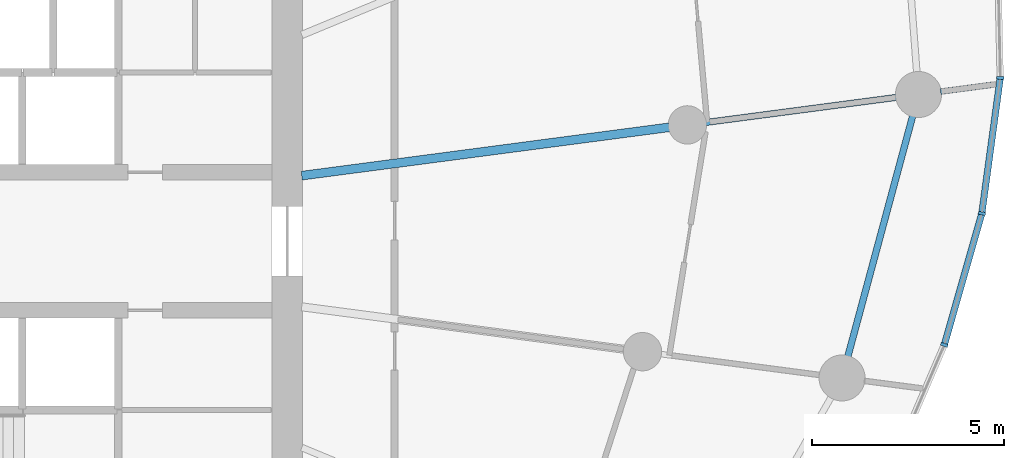
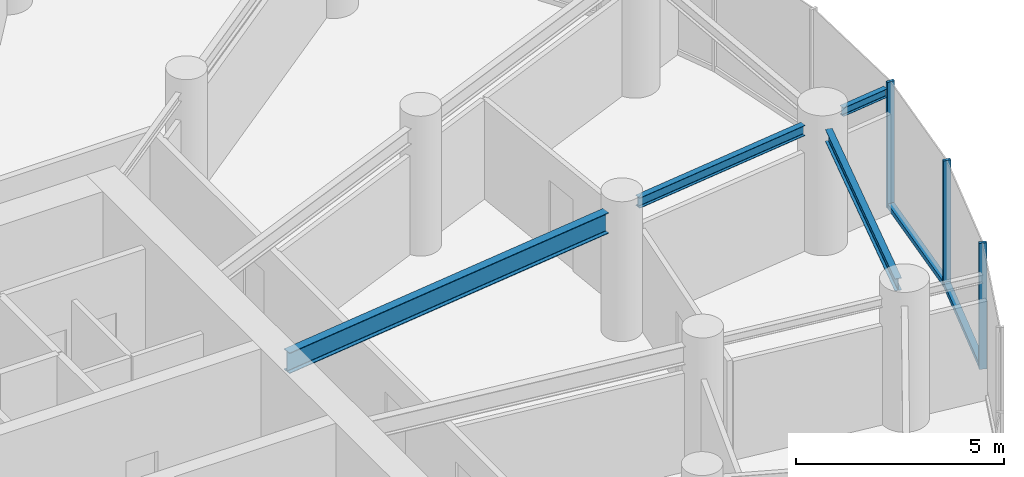
# One storey, part 5 of 17: 5 members, 4 beams, 2 elements without a shape of their own.
"""IFC4 building model written with IfcOpenShell, lengths in metres."""

from ifc_helpers import new_model, si_unit, direction, frame, origin, origin_2d, place, context, subcontext, project, spatial, rectangle, i_section, extrude, source, transform, mapped, material, layer, layer_set, material_profile, profile_set, type_object, element, aggregate, save


model = new_model("IFC4")

# Units and contexts
model_context = context("Model", 3, precision=1e-05, world=origin(), true_north=direction((0.0, 1.0)))
body_context = subcontext(model_context, "Body", "Model", "MODEL_VIEW")
ifc_project = project(units=[si_unit("LENGTHUNIT", "METRE"), si_unit("AREAUNIT", "SQUARE_METRE"), si_unit("VOLUMEUNIT", "CUBIC_METRE"), si_unit("PLANEANGLEUNIT", "RADIAN"), si_unit("MASSUNIT", "GRAM", prefix="KILO")], contexts=[model_context])

# Site, building, storey
site_placement = place(None, origin())
site = spatial("IfcSite", under=ifc_project, at=site_placement, CompositionType="ELEMENT")
building_placement = place(site_placement, origin())
building = spatial("IfcBuilding", under=site, at=building_placement, Name="Spindrift Exchange Tower", CompositionType="ELEMENT")
storey_placement = place(building_placement, frame((0.0, 0.0, 104.39990234375)))
storey = spatial("IfcBuildingStorey", under=building, at=storey_placement, Name="L24", CompositionType="ELEMENT", Elevation=104.39990234375)

# Beams
ifc_material_1 = material(Name="Steel Grade 300", Category="steel")
ifc_material_profile_1 = material_profile(ifc_material_1, i_section(OverallWidth=0.22802734375, OverallDepth=0.60693359375, WebThickness=0.01123046875, FlangeThickness=0.017333984375, FilletRadius=0.013916015625, at=origin_2d()), Name="610UB113")
ifc_profile_set_1 = profile_set([ifc_material_profile_1], Name="Steel Grade 300")
beam_type_1 = type_object("IfcBeamType", Name="Floor Beam 610UB113 Steel Grade 300", PredefinedType="BEAM", material=ifc_profile_set_1)
shared_shape_1 = source(origin(), body_context, "Body", "SweptSolid", [
    extrude(i_section(OverallWidth=0.22802734375, OverallDepth=0.60693359375, WebThickness=0.01123046875, FlangeThickness=0.017333984375, FilletRadius=0.013916015625, at=origin_2d()), origin(), (0.0, 0.0, 1.0), 9.660400390625),
])
beam_1_placement = place(storey_placement, frame((64.980224609375, 49.708984375, 3.396484375), z_axis=(0.99144767089, 0.130504850054, 0.0), x_axis=(-0.130504850054, 0.99144767089, 0.0)))
element("IfcBeam", 1, at=beam_1_placement, inside=storey, type_object=beam_type_1, Name="L24 radial beam R01A", PredefinedType="BEAM", context=body_context, shape_type="MappedRepresentation", body=[
    mapped(shared_shape_1, transform((0.0, 0.0, 0.0), scale=1.0)),
])
ifc_material_profile_2 = material_profile(ifc_material_1, i_section(OverallWidth=0.1650390625, OverallDepth=0.303955078125, WebThickness=0.006103515625, FlangeThickness=0.01025390625, FilletRadius=0.011474609375, at=origin_2d()), Name="310UB40.4")
ifc_profile_set_2 = profile_set([ifc_material_profile_2], Name="Steel Grade 300")
beam_type_2 = type_object("IfcBeamType", Name="Floor Beam 310UB40.4 Steel Grade 300", PredefinedType="BEAM", material=ifc_profile_set_2)
shared_shape_2 = source(origin(), body_context, "Body", "SweptSolid", [
    extrude(i_section(OverallWidth=0.1650390625, OverallDepth=0.303955078125, WebThickness=0.006103515625, FlangeThickness=0.01025390625, FilletRadius=0.011474609375, at=origin_2d()), origin(), (0.0, 0.0, 1.0), 5.014404296875),
])
beam_2_placement = place(storey_placement, frame((75.509765625, 51.09521484375, 3.548095703125), z_axis=(0.99145015202, 0.13048599948, 0.0), x_axis=(-0.13048599948, 0.99145015202, 0.0)))
element("IfcBeam", 2, at=beam_2_placement, inside=storey, type_object=beam_type_2, Name="L24 radial beam R01B", PredefinedType="BEAM", context=body_context, shape_type="MappedRepresentation", body=[
    mapped(shared_shape_2, transform((0.0, 0.0, 0.0), scale=1.0)),
])
ifc_material_profile_3 = material_profile(ifc_material_1, i_section(OverallWidth=0.172119140625, OverallDepth=0.35888671875, WebThickness=0.008056640625, FlangeThickness=0.012939453125, FilletRadius=0.013916015625, at=origin_2d()), Name="360UB56.7")
ifc_profile_set_3 = profile_set([ifc_material_profile_3], Name="Steel Grade 300")
beam_type_3 = type_object("IfcBeamType", Name="Edge Beam 360UB56.7 Steel Grade 300", PredefinedType="SPANDREL", material=ifc_profile_set_3)
shared_shape_3 = source(origin(), body_context, "Body", "SweptSolid", [
    extrude(i_section(OverallWidth=0.172119140625, OverallDepth=0.35888671875, WebThickness=0.008056640625, FlangeThickness=0.012939453125, FilletRadius=0.013916015625, at=origin_2d()), origin(), (0.0, 0.0, 1.0), 6.4921875),
])
beam_3_placement = place(storey_placement, frame((79.215576171875, 44.996826171875, 3.5205078125), z_axis=(0.260262058381, 0.965538016324, 0.0), x_axis=(-0.965538016324, 0.260262058381, 0.0)))
element("IfcBeam", 3, at=beam_3_placement, inside=storey, type_object=beam_type_3, Name="L24 edge beam E24", PredefinedType="SPANDREL", context=body_context, shape_type="MappedRepresentation", body=[
    mapped(shared_shape_3, transform((0.0, 0.0, 0.0), scale=1.0)),
])
ifc_material_profile_4 = material_profile(ifc_material_1, i_section(OverallWidth=0.14599609375, OverallDepth=0.251953125, WebThickness=0.006103515625, FlangeThickness=0.008544921875, FilletRadius=0.011962890625, at=origin_2d()), Name="250UB31.4")
ifc_profile_set_4 = profile_set([ifc_material_profile_4], Name="Steel Grade 300")
beam_type_4 = type_object("IfcBeamType", Name="Cantilever Beam 250UB31.4 Steel Grade 300", PredefinedType="BEAM", material=ifc_profile_set_4)
shared_shape_4 = source(origin(), body_context, "Body", "SweptSolid", [
    extrude(i_section(OverallWidth=0.14599609375, OverallDepth=0.251953125, WebThickness=0.006103515625, FlangeThickness=0.008544921875, FilletRadius=0.011962890625, at=origin_2d()), origin(), (0.0, 0.0, 1.0), 1.330078125),
])
beam_4_placement = place(storey_placement, frame((81.63134765625, 51.90087890625, 3.57421875), z_axis=(0.991422401773, 0.130696676553, 0.0), x_axis=(-0.130696676553, 0.991422401773, 0.0)))
element("IfcBeam", 4, at=beam_4_placement, inside=storey, type_object=beam_type_4, Name="L24 cantilever beam R01T", PredefinedType="BEAM", context=body_context, shape_type="MappedRepresentation", body=[
    mapped(shared_shape_4, transform((0.0, 0.0, 0.0), scale=1.0)),
])

# Curtain wall, members
ifc_material_2 = material(Name="Fritted laminated glass with bronze frame", Category="glass")
ifc_layer = layer(ifc_material_2, 0.18994140625)
ifc_layer_set = layer_set([ifc_layer], Name="ZONE 2 BRONZE FRITTED WALL")
curtain_wall_type = type_object("IfcCurtainWallType", Name="ZONE 2 BRONZE FRITTED WALL", PredefinedType="NOTDEFINED", material=ifc_layer_set)
curtain_wall_1_placement = place(storey_placement, origin())
curtain_wall_1 = element("IfcCurtainWall", 5, at=curtain_wall_1_placement, inside=storey, type_object=curtain_wall_type, Name="L24 Zone 2 Bronze Fritted Wall run 8", PredefinedType="NOTDEFINED")
ifc_material_3 = material(Name="Bronze anodised aluminium", Category="aluminium")
ifc_material_profile_5 = material_profile(ifc_material_3, rectangle(XDim=0.169921875, YDim=0.139892578125, at=origin_2d()), Name="ZONE 2 BRONZE FRITTED WALL TRANSOM 170X140")
ifc_profile_set_5 = profile_set([ifc_material_profile_5], Name="Bronze anodised aluminium")
member_type_1 = type_object("IfcMemberType", Name="ZONE 2 BRONZE FRITTED WALL TRANSOM 170X140", PredefinedType="USERDEFINED", material=ifc_profile_set_5)
shared_shape_5 = source(origin(), body_context, "Body", "SweptSolid", [
    extrude(rectangle(XDim=0.169921875, YDim=0.139892578125, at=origin_2d()), origin(), (0.0, 0.0, 1.0), 3.489501953125),
])
member_1_placement = place(storey_placement, frame((82.712890625, 48.762451171875, 0.070068359375), z_axis=(0.134825952142, 0.990869296441, 0.0), x_axis=(-0.990869296441, 0.134825952142, 0.0)))
member_1 = element("IfcMember", 6, at=member_1_placement, type_object=member_type_1, Name="L24 transom CW-2.48", ObjectType="TRANSOM", PredefinedType="USERDEFINED", context=body_context, shape_type="MappedRepresentation", body=[
    mapped(shared_shape_5, transform((0.0, 0.0, 0.0), scale=1.0)),
])
ifc_material_profile_6 = material_profile(ifc_material_3, rectangle(XDim=0.074951171875, YDim=0.18994140625, at=origin_2d()), Name="ZONE 2 BRONZE FRITTED WALL MULLION 75X190")
ifc_profile_set_6 = profile_set([ifc_material_profile_6], Name="Bronze anodised aluminium")
member_type_2 = type_object("IfcMemberType", Name="ZONE 2 BRONZE FRITTED WALL MULLION 75X190", PredefinedType="MULLION", material=ifc_profile_set_6)
shared_shape_6 = source(origin(), body_context, "Body", "SweptSolid", [
    extrude(rectangle(XDim=0.074951171875, YDim=0.18994140625, at=origin_2d()), origin(), (0.0, 0.0, 1.0), 3.7001953125),
])
member_2_placement = place(storey_placement, frame((81.729736328125, 45.297119140625, 0.0), z_axis=(0.0, 0.0, 1.0), x_axis=(0.335756778529, 0.941948717113, 0.0)))
member_2 = element("IfcMember", 7, at=member_2_placement, type_object=member_type_2, Name="L24 mullion CW-2.47", PredefinedType="MULLION", context=body_context, shape_type="MappedRepresentation", body=[
    mapped(shared_shape_6, transform((0.0, 0.0, 0.0), scale=1.0)),
])
member_3_placement = place(storey_placement, frame((82.7080078125, 48.725341796875, 0.0), z_axis=(0.0, 0.0, 1.0), x_axis=(0.20510287102, 0.978740421307, 0.0)))
member_3 = element("IfcMember", 8, at=member_3_placement, type_object=member_type_2, Name="L24 mullion CW-2.48", PredefinedType="MULLION", context=body_context, shape_type="MappedRepresentation", body=[
    mapped(shared_shape_6, transform((0.0, 0.0, 0.0), scale=1.0)),
])

# Curtain wall, member
curtain_wall_2_placement = place(storey_placement, origin())
curtain_wall_2 = element("IfcCurtainWall", 9, at=curtain_wall_2_placement, inside=storey, type_object=curtain_wall_type, Name="L24 Zone 2 Bronze Fritted Wall run 9", PredefinedType="NOTDEFINED")
member_4_placement = place(storey_placement, frame((83.1884765625, 52.257080078125, 0.0), z_axis=(0.0, 0.0, 1.0), x_axis=(0.056592977875, 0.998397333157, 0.0)))
member_4 = element("IfcMember", 10, at=member_4_placement, type_object=member_type_2, Name="L24 mullion CW-2.49", PredefinedType="MULLION", context=body_context, shape_type="MappedRepresentation", body=[
    mapped(shared_shape_6, transform((0.0, 0.0, 0.0), scale=1.0)),
])
aggregate(curtain_wall_2, [member_4])

# Member
shared_shape_7 = source(origin(), body_context, "Body", "SweptSolid", [
    extrude(rectangle(XDim=0.169921875, YDim=0.139892578125, at=origin_2d()), origin(), (0.0, 0.0, 1.0), 3.490234375),
])
member_5_placement = place(storey_placement, frame((81.739990234375, 45.3330078125, 0.070068359375), z_axis=(0.274351550132, 0.961629464472, 0.0), x_axis=(-0.961629464472, 0.274351550132, 0.0)))
member_5 = element("IfcMember", 11, at=member_5_placement, type_object=member_type_1, Name="L24 transom CW-2.47", ObjectType="TRANSOM", PredefinedType="USERDEFINED", context=body_context, shape_type="MappedRepresentation", body=[
    mapped(shared_shape_7, transform((0.0, 0.0, 0.0), scale=1.0)),
])

aggregate(curtain_wall_1, [member_2, member_5, member_3, member_1])

save(model, "model.ifc")
